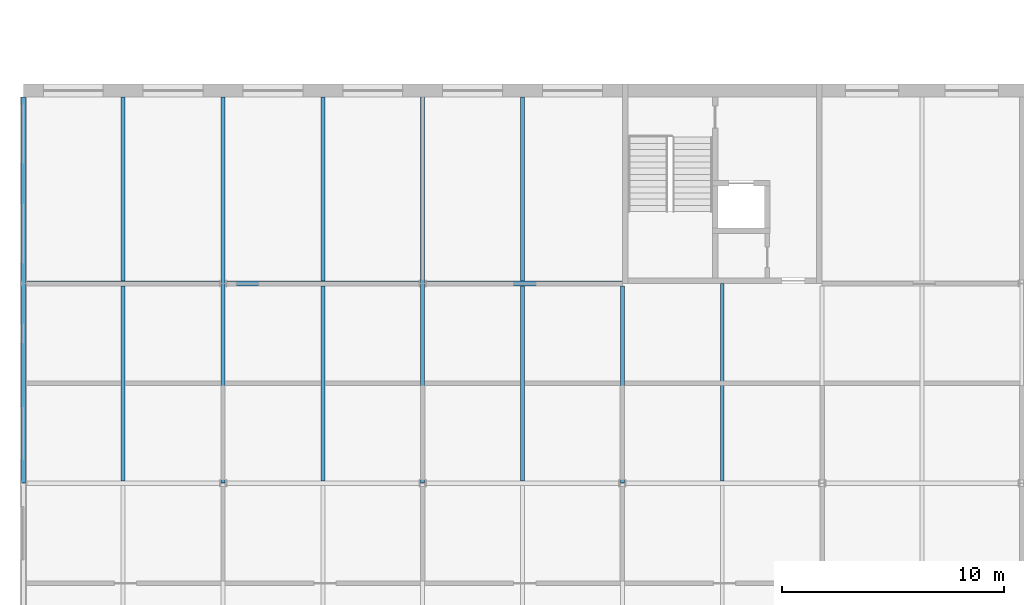
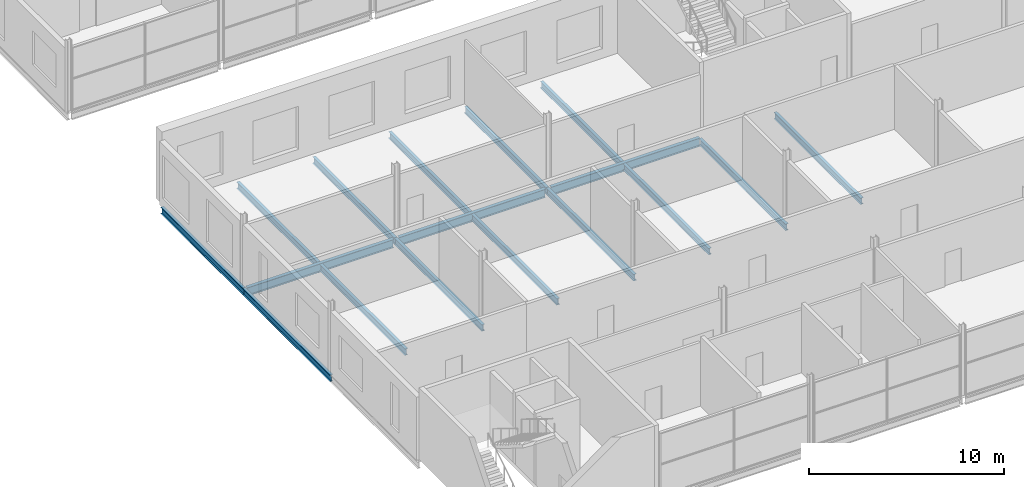
# One storey, part 38 of 97: 17 beams.
"""IFC4 building model written with IfcOpenShell, lengths in metres."""

from ifc_helpers import new_model, si_unit, direction, frame, origin, origin_2d, place, context, subcontext, project, spatial, i_section, extrude, material, material_profile, profile_set, type_object, element, save


model = new_model("IFC4")

# Units and contexts
model_context = context("Model", 3, precision=1e-05, world=origin(), true_north=direction((0.0, 1.0)))
body_context = subcontext(model_context, "Body", "Model", "MODEL_VIEW")
ifc_project = project(units=[si_unit("LENGTHUNIT", "METRE"), si_unit("AREAUNIT", "SQUARE_METRE"), si_unit("VOLUMEUNIT", "CUBIC_METRE"), si_unit("PLANEANGLEUNIT", "RADIAN"), si_unit("MASSUNIT", "GRAM", prefix="KILO")], contexts=[model_context])

# Site, building, storey
site_placement = place(None, origin())
site = spatial("IfcSite", under=ifc_project, at=site_placement, CompositionType="ELEMENT")
building_placement = place(site_placement, origin())
building = spatial("IfcBuilding", under=site, at=building_placement, Name="Corbel Yard City Hall", CompositionType="ELEMENT")
storey_placement = place(building_placement, frame((0.0, 0.0, 6.0)))
storey = spatial("IfcBuildingStorey", under=building, at=storey_placement, Name="L01", CompositionType="ELEMENT", Elevation=6.0)

# Beams
ifc_material = material(Name="Steel Grade 300 (300 MPa yield)", Category="steel")
ifc_material_profile_1 = material_profile(ifc_material, i_section(OverallWidth=0.177978515625, OverallDepth=0.403076171875, WebThickness=0.007568359375, FlangeThickness=0.010986328125, at=origin_2d()), Name="410UB53.7")
ifc_profile_set_1 = profile_set([ifc_material_profile_1], Name="Steel Grade 300 (300 MPa yield)")
beam_type_1 = type_object("IfcBeamType", Name="Beam 410UB53.7", PredefinedType="BEAM", material=ifc_profile_set_1)
beam_1_placement = place(storey_placement, frame((9.0, 63.0078125, -0.3515625), z_axis=(0.0, 1.0, 0.0), x_axis=(-1.0, 0.0, 0.0)))
element("IfcBeam", 1, at=beam_1_placement, inside=storey, type_object=beam_type_1, Name="Beam 410UB53.7 SB6 L01floor", PredefinedType="BEAM", context=body_context, shape_type="SweptSolid", body=[
    extrude(i_section(OverallWidth=0.177978515625, OverallDepth=0.403076171875, WebThickness=0.007568359375, FlangeThickness=0.010986328125, at=origin_2d()), origin(), (0.0, 0.0, 1.0), 8.984375),
])
beam_2_placement = place(storey_placement, frame((9.0, 72.0078125, -0.3515625), z_axis=(0.0, 1.0, 0.0), x_axis=(-1.0, 0.0, 0.0)))
element("IfcBeam", 2, at=beam_2_placement, inside=storey, type_object=beam_type_1, Name="Beam 410UB53.7 SB6 L01floor", PredefinedType="BEAM", context=body_context, shape_type="SweptSolid", body=[
    extrude(i_section(OverallWidth=0.177978515625, OverallDepth=0.403076171875, WebThickness=0.007568359375, FlangeThickness=0.010986328125, at=origin_2d()), origin(), (0.0, 0.0, 1.0), 8.39208984375),
])
beam_3_placement = place(storey_placement, frame((18.0, 63.0078125, -0.3515625), z_axis=(0.0, 1.0, 0.0), x_axis=(-1.0, 0.0, 0.0)))
element("IfcBeam", 3, at=beam_3_placement, inside=storey, type_object=beam_type_1, Name="Beam 410UB53.7 SB6 L01floor", PredefinedType="BEAM", context=body_context, shape_type="SweptSolid", body=[
    extrude(i_section(OverallWidth=0.177978515625, OverallDepth=0.403076171875, WebThickness=0.007568359375, FlangeThickness=0.010986328125, at=origin_2d()), origin(), (0.0, 0.0, 1.0), 8.984375),
])
beam_4_placement = place(storey_placement, frame((18.0, 72.0078125, -0.3515625), z_axis=(0.0, 1.0, 0.0), x_axis=(-1.0, 0.0, 0.0)))
element("IfcBeam", 4, at=beam_4_placement, inside=storey, type_object=beam_type_1, Name="Beam 410UB53.7 SB6 L01floor", PredefinedType="BEAM", context=body_context, shape_type="SweptSolid", body=[
    extrude(i_section(OverallWidth=0.177978515625, OverallDepth=0.403076171875, WebThickness=0.007568359375, FlangeThickness=0.010986328125, at=origin_2d()), origin(), (0.0, 0.0, 1.0), 8.39208984375),
])
beam_5_placement = place(storey_placement, frame((27.0, 63.0078125, -0.3515625), z_axis=(0.0, 1.0, 0.0), x_axis=(-1.0, 0.0, 0.0)))
element("IfcBeam", 5, at=beam_5_placement, inside=storey, type_object=beam_type_1, Name="Beam 410UB53.7 SB6 L01floor", PredefinedType="BEAM", context=body_context, shape_type="SweptSolid", body=[
    extrude(i_section(OverallWidth=0.177978515625, OverallDepth=0.403076171875, WebThickness=0.007568359375, FlangeThickness=0.010986328125, at=origin_2d()), origin(), (0.0, 0.0, 1.0), 8.8876953125),
])
ifc_material_profile_2 = material_profile(ifc_material, i_section(OverallWidth=0.177978515625, OverallDepth=0.406005859375, WebThickness=0.0078125, FlangeThickness=0.0126953125, at=origin_2d()), Name="410UB59.7")
ifc_profile_set_2 = profile_set([ifc_material_profile_2], Name="Steel Grade 300 (300 MPa yield)")
beam_type_2 = type_object("IfcBeamType", Name="Edge beam 410UB59.7", PredefinedType="BEAM", material=ifc_profile_set_2)
beam_6_placement = place(storey_placement, frame((0.0, 63.005859375, -0.35302734375), z_axis=(0.0, 1.0, 0.0), x_axis=(-1.0, 0.0, 0.0)))
element("IfcBeam", 6, at=beam_6_placement, inside=storey, type_object=beam_type_2, Name="Edge beam 410UB59.7 EB2 L01floor", PredefinedType="BEAM", context=body_context, shape_type="SweptSolid", body=[
    extrude(i_section(OverallWidth=0.177978515625, OverallDepth=0.406005859375, WebThickness=0.0078125, FlangeThickness=0.0126953125, at=origin_2d()), origin(), (0.0, 0.0, 1.0), 8.98828125),
])
beam_7_placement = place(storey_placement, frame((0.0, 72.005859375, -0.35302734375), z_axis=(0.0, 1.0, 0.0), x_axis=(-1.0, 0.0, 0.0)))
element("IfcBeam", 7, at=beam_7_placement, inside=storey, type_object=beam_type_2, Name="Edge beam 410UB59.7 EB2 L01floor", PredefinedType="BEAM", context=body_context, shape_type="SweptSolid", body=[
    extrude(i_section(OverallWidth=0.177978515625, OverallDepth=0.406005859375, WebThickness=0.0078125, FlangeThickness=0.0126953125, at=origin_2d()), origin(), (0.0, 0.0, 1.0), 8.39404296875),
])
ifc_material_profile_3 = material_profile(ifc_material, i_section(OverallWidth=0.208984375, OverallDepth=0.528076171875, WebThickness=0.009521484375, FlangeThickness=0.01318359375, at=origin_2d()), Name="530UB82.0")
ifc_profile_set_3 = profile_set([ifc_material_profile_3], Name="Steel Grade 300 (300 MPa yield)")
beam_type_3 = type_object("IfcBeamType", Name="Girder 530UB82.0", PredefinedType="BEAM", material=ifc_profile_set_3)
beam_8_placement = place(storey_placement, frame((0.157470703125, 72.0, -0.4140625), z_axis=(1.0, 0.0, 0.0), x_axis=(0.0, 1.0, 0.0)))
element("IfcBeam", 8, at=beam_8_placement, inside=storey, type_object=beam_type_3, Name="Girder 530UB82.0 GB3 L01floor", PredefinedType="BEAM", context=body_context, shape_type="SweptSolid", body=[
    extrude(i_section(OverallWidth=0.208984375, OverallDepth=0.528076171875, WebThickness=0.009521484375, FlangeThickness=0.01318359375, at=origin_2d()), origin(), (0.0, 0.0, 1.0), 8.678955078125),
])
beam_9_placement = place(storey_placement, frame((9.16357421875, 72.0, -0.4140625), z_axis=(1.0, 0.0, 0.0), x_axis=(0.0, 1.0, 0.0)))
element("IfcBeam", 9, at=beam_9_placement, inside=storey, type_object=beam_type_3, Name="Girder 530UB82.0 GB3 L01floor", PredefinedType="BEAM", context=body_context, shape_type="SweptSolid", body=[
    extrude(i_section(OverallWidth=0.208984375, OverallDepth=0.528076171875, WebThickness=0.009521484375, FlangeThickness=0.01318359375, at=origin_2d()), origin(), (0.0, 0.0, 1.0), 8.6728515625),
])
beam_10_placement = place(storey_placement, frame((18.16357421875, 72.0, -0.4140625), z_axis=(1.0, 0.0, 0.0), x_axis=(0.0, 1.0, 0.0)))
element("IfcBeam", 10, at=beam_10_placement, inside=storey, type_object=beam_type_3, Name="Girder 530UB82.0 GB3 L01floor", PredefinedType="BEAM", context=body_context, shape_type="SweptSolid", body=[
    extrude(i_section(OverallWidth=0.208984375, OverallDepth=0.528076171875, WebThickness=0.009521484375, FlangeThickness=0.01318359375, at=origin_2d()), origin(), (0.0, 0.0, 1.0), 8.83642578125),
])
ifc_material_profile_4 = material_profile(ifc_material, i_section(OverallWidth=0.177978515625, OverallDepth=0.403076171875, WebThickness=0.007568359375, FlangeThickness=0.010986328125, at=origin_2d()), Name="410UB53.7")
ifc_profile_set_4 = profile_set([ifc_material_profile_4], Name="Steel Grade 300 (300 MPa yield)")
beam_type_4 = type_object("IfcBeamType", Name="Secondary beam 410UB53.7", PredefinedType="JOIST", material=ifc_profile_set_4)
beam_11_placement = place(storey_placement, frame((4.5, 63.1044921875, -0.3515625), z_axis=(0.0, 1.0, 0.0), x_axis=(-1.0, 0.0, 0.0)))
element("IfcBeam", 11, at=beam_11_placement, inside=storey, type_object=beam_type_4, Name="Secondary beam 410UB53.7 SB5 L01floor", PredefinedType="JOIST", context=body_context, shape_type="SweptSolid", body=[
    extrude(i_section(OverallWidth=0.177978515625, OverallDepth=0.403076171875, WebThickness=0.007568359375, FlangeThickness=0.010986328125, at=origin_2d()), origin(), (0.0, 0.0, 1.0), 8.791015625),
])
beam_12_placement = place(storey_placement, frame((4.5, 72.1044921875, -0.3515625), z_axis=(0.0, 1.0, 0.0), x_axis=(-1.0, 0.0, 0.0)))
element("IfcBeam", 12, at=beam_12_placement, inside=storey, type_object=beam_type_4, Name="Secondary beam 410UB53.7 SB5 L01floor", PredefinedType="JOIST", context=body_context, shape_type="SweptSolid", body=[
    extrude(i_section(OverallWidth=0.177978515625, OverallDepth=0.403076171875, WebThickness=0.007568359375, FlangeThickness=0.010986328125, at=origin_2d()), origin(), (0.0, 0.0, 1.0), 8.29541015625),
])
beam_13_placement = place(storey_placement, frame((13.5, 63.1044921875, -0.3515625), z_axis=(0.0, 1.0, 0.0), x_axis=(-1.0, 0.0, 0.0)))
element("IfcBeam", 13, at=beam_13_placement, inside=storey, type_object=beam_type_4, Name="Secondary beam 410UB53.7 SB5 L01floor", PredefinedType="JOIST", context=body_context, shape_type="SweptSolid", body=[
    extrude(i_section(OverallWidth=0.177978515625, OverallDepth=0.403076171875, WebThickness=0.007568359375, FlangeThickness=0.010986328125, at=origin_2d()), origin(), (0.0, 0.0, 1.0), 8.791015625),
])
beam_14_placement = place(storey_placement, frame((13.5, 72.1044921875, -0.3515625), z_axis=(0.0, 1.0, 0.0), x_axis=(-1.0, 0.0, 0.0)))
element("IfcBeam", 14, at=beam_14_placement, inside=storey, type_object=beam_type_4, Name="Secondary beam 410UB53.7 SB5 L01floor", PredefinedType="JOIST", context=body_context, shape_type="SweptSolid", body=[
    extrude(i_section(OverallWidth=0.177978515625, OverallDepth=0.403076171875, WebThickness=0.007568359375, FlangeThickness=0.010986328125, at=origin_2d()), origin(), (0.0, 0.0, 1.0), 8.29541015625),
])
beam_15_placement = place(storey_placement, frame((22.5, 63.1044921875, -0.3515625), z_axis=(0.0, 1.0, 0.0), x_axis=(-1.0, 0.0, 0.0)))
element("IfcBeam", 15, at=beam_15_placement, inside=storey, type_object=beam_type_4, Name="Secondary beam 410UB53.7 SB5 L01floor", PredefinedType="JOIST", context=body_context, shape_type="SweptSolid", body=[
    extrude(i_section(OverallWidth=0.177978515625, OverallDepth=0.403076171875, WebThickness=0.007568359375, FlangeThickness=0.010986328125, at=origin_2d()), origin(), (0.0, 0.0, 1.0), 8.791015625),
])
beam_16_placement = place(storey_placement, frame((22.5, 72.1044921875, -0.3515625), z_axis=(0.0, 1.0, 0.0), x_axis=(-1.0, 0.0, 0.0)))
element("IfcBeam", 16, at=beam_16_placement, inside=storey, type_object=beam_type_4, Name="Secondary beam 410UB53.7 SB5 L01floor", PredefinedType="JOIST", context=body_context, shape_type="SweptSolid", body=[
    extrude(i_section(OverallWidth=0.177978515625, OverallDepth=0.403076171875, WebThickness=0.007568359375, FlangeThickness=0.010986328125, at=origin_2d()), origin(), (0.0, 0.0, 1.0), 8.29541015625),
])
beam_17_placement = place(storey_placement, frame((31.5, 63.1044921875, -0.3515625), z_axis=(0.0, 1.0, 0.0), x_axis=(-1.0, 0.0, 0.0)))
element("IfcBeam", 17, at=beam_17_placement, inside=storey, type_object=beam_type_4, Name="Secondary beam 410UB53.7 SB5 L01floor", PredefinedType="JOIST", context=body_context, shape_type="SweptSolid", body=[
    extrude(i_section(OverallWidth=0.177978515625, OverallDepth=0.403076171875, WebThickness=0.007568359375, FlangeThickness=0.010986328125, at=origin_2d()), origin(), (0.0, 0.0, 1.0), 8.8955078125),
])

save(model, "model.ifc")
